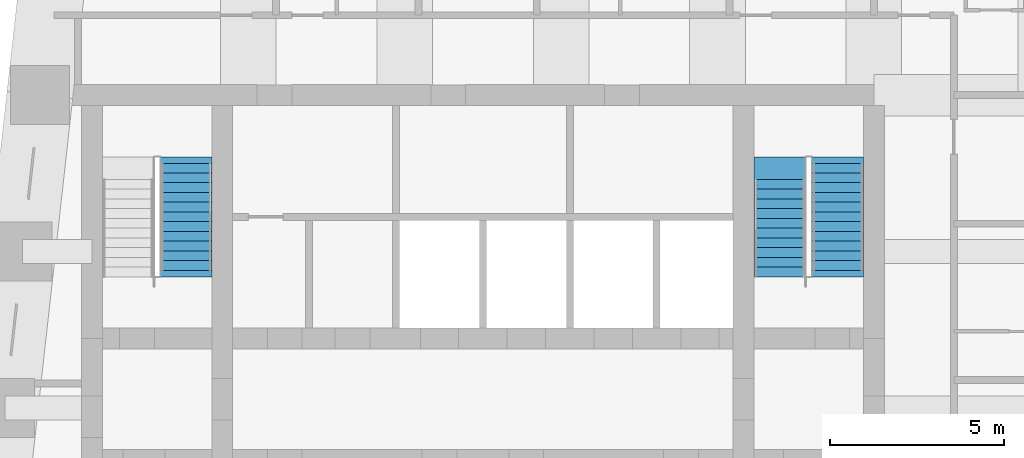
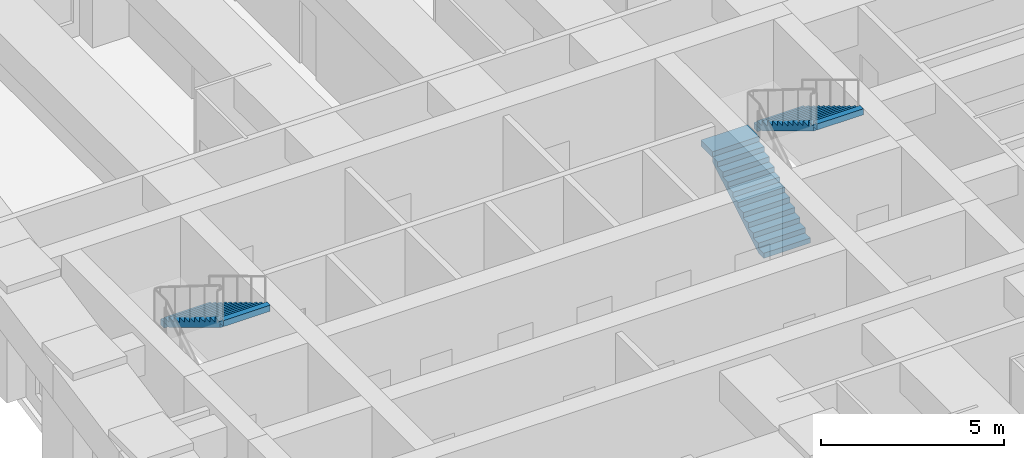
# One storey, part 6 of 7: 3 stair flights, 2 elements without a shape of their own.
"""IFC4 building model written with IfcOpenShell, lengths in metres."""

from ifc_helpers import new_model, si_unit, direction, frame, origin, place, context, subcontext, project, spatial, polyline, outline, extrude, material, type_object, element, aggregate, save


model = new_model("IFC4")

# Units and contexts
model_context = context("Model", 3, precision=1e-05, world=origin(), true_north=direction((0.0, 1.0)))
body_context = subcontext(model_context, "Body", "Model", "MODEL_VIEW")
ifc_project = project(units=[si_unit("LENGTHUNIT", "METRE"), si_unit("AREAUNIT", "SQUARE_METRE"), si_unit("VOLUMEUNIT", "CUBIC_METRE"), si_unit("PLANEANGLEUNIT", "RADIAN"), si_unit("MASSUNIT", "GRAM", prefix="KILO")], contexts=[model_context])

# Site, building, storey
site_placement = place(None, origin())
site = spatial("IfcSite", under=ifc_project, at=site_placement, CompositionType="ELEMENT")
building_placement = place(site_placement, origin())
building = spatial("IfcBuilding", under=site, at=building_placement, Name="Kilele Tower Hotel", CompositionType="ELEMENT")
storey_placement = place(building_placement, frame((0.0, 0.0, 229.10009765625)))
storey = spatial("IfcBuildingStorey", under=building, at=storey_placement, Name="L59", CompositionType="ELEMENT", Elevation=229.10009765625)

# Stair, stair flight
ifc_material_1 = material(Name="Precast concrete C40/50", Category="concrete")
stair_type = type_object("IfcStairType", Name="Stair 1475 x 3900", PredefinedType="HALF_TURN_STAIR", material=ifc_material_1)
stair_1_placement = place(storey_placement, origin())
stair_1 = element("IfcStair", 1, at=stair_1_placement, inside=storey, type_object=stair_type, Name="Stair 1 L59", PredefinedType="HALF_TURN_STAIR")
ifc_material_2 = material(Name="Precast concrete C40/50", Category="concrete")
stair_flight_type = type_object("IfcStairFlightType", Name="Flight 1475 riser 169.6", PredefinedType="STRAIGHT", material=ifc_material_2)
stair_flight_1_placement = place(storey_placement, frame((16.21240234375, 25.0400390625, 1.865234375), z_axis=(0.0, 0.0, 1.0), x_axis=(0.0, -1.0, 0.0)))
stair_flight_1 = element("IfcStairFlight", 2, at=stair_flight_1_placement, type_object=stair_flight_type, Name="ST1 flight 2", NumberOfRisers=12, NumberOfTreads=11, PredefinedType="STRAIGHT", RiserHeight=0.169565217, TreadLength=0.28, context=body_context, shape_type="SweptSolid", body=[
    extrude(outline(polyline([(0.0, 0.0), (0.0, 0.169677734375), (0.280029296875, 0.169677734375), (0.280029296875, 0.339111328125), (0.56005859375, 0.339111328125), (0.56005859375, 0.5087890625), (0.840087890625, 0.5087890625), (0.840087890625, 0.67822265625), (1.1201171875, 0.67822265625), (1.1201171875, 0.847900390625), (1.39990234375, 0.847900390625), (1.39990234375, 1.017333984375), (1.679931640625, 1.017333984375), (1.679931640625, 1.18701171875), (1.9599609375, 1.18701171875), (1.9599609375, 1.3564453125), (2.239990234375, 1.3564453125), (2.239990234375, 1.526123046875), (2.52001953125, 1.526123046875), (2.52001953125, 1.695556640625), (2.800048828125, 1.695556640625), (2.800048828125, 1.865234375), (3.080078125, 1.865234375), (3.080078125, 2.03466796875), (3.080078125, 1.68994140625), (0.289306640625, 0.0), (0.0, 0.0)])), frame((0.0, 0.737548828125, 0.0), z_axis=(0.0, -1.0, 0.0), x_axis=(1.0, 0.0, 0.0)), (0.0, 0.0, 1.0), 1.47509765625),
    extrude(outline(polyline([(0.0, -0.7373046875), (0.0, 0.737548828125), (-0.18505859375, 0.737548828125), (-0.18505859375, -0.7373046875), (0.0, -0.7373046875)])), frame((0.0, 0.0, -0.2001953125)), (0.0, 0.0, 1.0), 0.199951171875),
    extrude(outline(polyline([(3.26513671875, -0.7373046875), (3.26513671875, 0.737548828125), (3.080078125, 0.737548828125), (3.080078125, -0.7373046875), (3.26513671875, -0.7373046875)])), frame((0.0, 0.0, 1.834716796875)), (0.0, 0.0, 1.0), 0.199951171875),
])
aggregate(stair_1, [stair_flight_1])

# Stair, stair flights
stair_2_placement = place(storey_placement, origin())
stair_2 = element("IfcStair", 3, at=stair_2_placement, inside=storey, type_object=stair_type, Name="Stair 2 L59", PredefinedType="HALF_TURN_STAIR")
stair_flight_2_placement = place(storey_placement, frame((33.28759765625, 21.77490234375, 0.0), z_axis=(0.0, 0.0, 1.0), x_axis=(0.0, 1.0, 0.0)))
stair_flight_2 = element("IfcStairFlight", 4, at=stair_flight_2_placement, type_object=stair_flight_type, Name="ST2 flight 1", NumberOfRisers=11, NumberOfTreads=10, PredefinedType="STRAIGHT", RiserHeight=0.169565217, TreadLength=0.28, context=body_context, shape_type="SweptSolid", body=[
    extrude(outline(polyline([(0.0, 0.0), (0.0, 0.169677734375), (0.280029296875, 0.169677734375), (0.280029296875, 0.339111328125), (0.56005859375, 0.339111328125), (0.56005859375, 0.5087890625), (0.840087890625, 0.5087890625), (0.840087890625, 0.67822265625), (1.1201171875, 0.67822265625), (1.1201171875, 0.847900390625), (1.39990234375, 0.847900390625), (1.39990234375, 1.017333984375), (1.679931640625, 1.017333984375), (1.679931640625, 1.18701171875), (1.9599609375, 1.18701171875), (1.9599609375, 1.3564453125), (2.239990234375, 1.3564453125), (2.239990234375, 1.526123046875), (2.52001953125, 1.526123046875), (2.52001953125, 1.695556640625), (2.800048828125, 1.695556640625), (2.800048828125, 1.865234375), (2.800048828125, 1.5205078125), (0.289306640625, 0.0), (0.0, 0.0)])), frame((0.0, 0.737548828125, 0.0), z_axis=(0.0, -1.0, 0.0), x_axis=(1.0, 0.0, 0.0)), (0.0, 0.0, 1.0), 1.47509765625),
    extrude(outline(polyline([(2.800048828125, 0.737548828125), (2.800048828125, -0.7373046875), (3.4501953125, -0.7373046875), (3.4501953125, 0.737548828125), (2.800048828125, 0.737548828125)])), frame((0.0, 0.0, 1.6650390625)), (0.0, 0.0, 1.0), 0.199951171875),
])
stair_flight_3_placement = place(storey_placement, frame((34.96240234375, 25.0400390625, 1.865234375), z_axis=(0.0, 0.0, 1.0), x_axis=(0.0, -1.0, 0.0)))
stair_flight_3 = element("IfcStairFlight", 5, at=stair_flight_3_placement, type_object=stair_flight_type, Name="ST2 flight 2", NumberOfRisers=12, NumberOfTreads=11, PredefinedType="STRAIGHT", RiserHeight=0.169565217, TreadLength=0.28, context=body_context, shape_type="SweptSolid", body=[
    extrude(outline(polyline([(0.0, 0.0), (0.0, 0.169677734375), (0.280029296875, 0.169677734375), (0.280029296875, 0.339111328125), (0.56005859375, 0.339111328125), (0.56005859375, 0.5087890625), (0.840087890625, 0.5087890625), (0.840087890625, 0.67822265625), (1.1201171875, 0.67822265625), (1.1201171875, 0.847900390625), (1.39990234375, 0.847900390625), (1.39990234375, 1.017333984375), (1.679931640625, 1.017333984375), (1.679931640625, 1.18701171875), (1.9599609375, 1.18701171875), (1.9599609375, 1.3564453125), (2.239990234375, 1.3564453125), (2.239990234375, 1.526123046875), (2.52001953125, 1.526123046875), (2.52001953125, 1.695556640625), (2.800048828125, 1.695556640625), (2.800048828125, 1.865234375), (3.080078125, 1.865234375), (3.080078125, 2.03466796875), (3.080078125, 1.68994140625), (0.289306640625, 0.0), (0.0, 0.0)])), frame((0.0, 0.737548828125, 0.0), z_axis=(0.0, -1.0, 0.0), x_axis=(1.0, 0.0, 0.0)), (0.0, 0.0, 1.0), 1.47509765625),
    extrude(outline(polyline([(0.0, -0.7373046875), (0.0, 0.737548828125), (-0.18505859375, 0.737548828125), (-0.18505859375, -0.7373046875), (0.0, -0.7373046875)])), frame((0.0, 0.0, -0.2001953125)), (0.0, 0.0, 1.0), 0.199951171875),
    extrude(outline(polyline([(3.26513671875, -0.7373046875), (3.26513671875, 0.737548828125), (3.080078125, 0.737548828125), (3.080078125, -0.7373046875), (3.26513671875, -0.7373046875)])), frame((0.0, 0.0, 1.834716796875)), (0.0, 0.0, 1.0), 0.199951171875),
])
aggregate(stair_2, [stair_flight_2, stair_flight_3])

save(model, "model.ifc")
